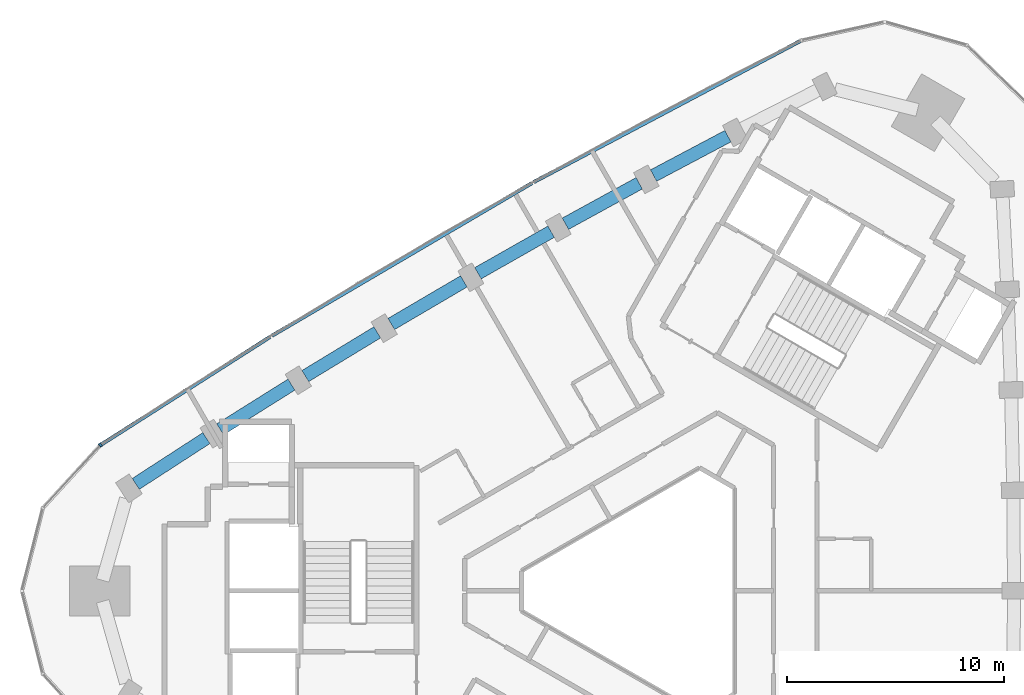
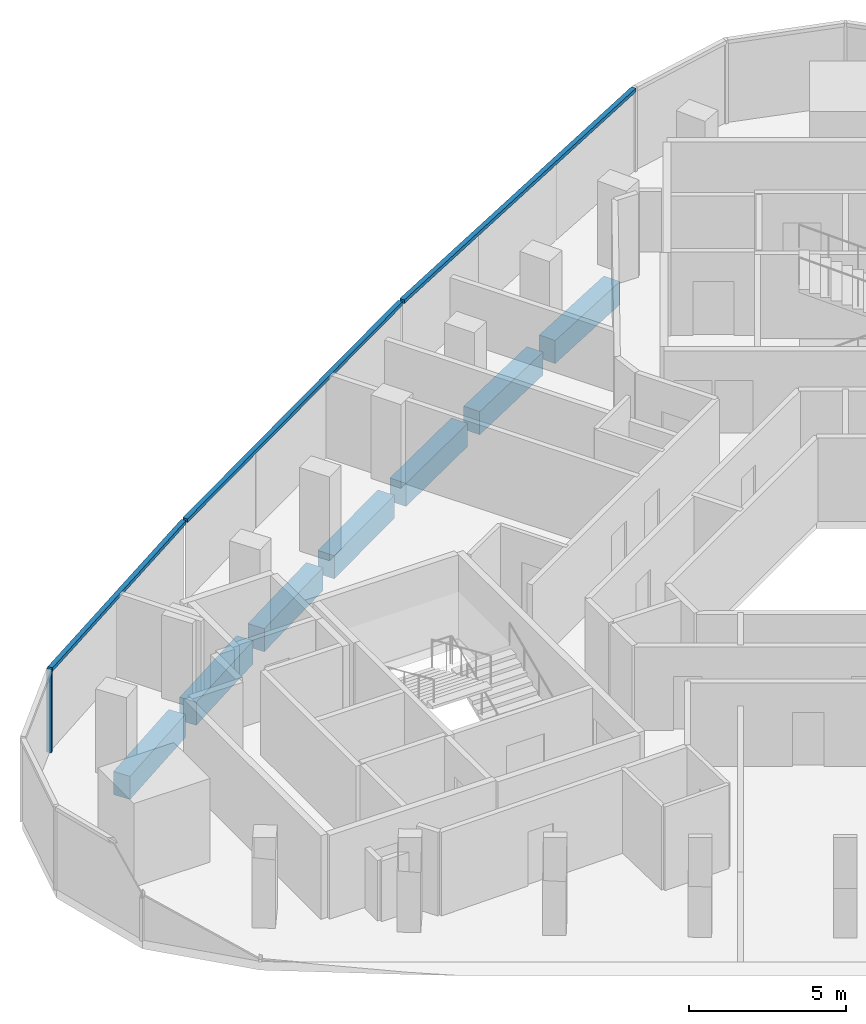
# One storey, part 4 of 11: 7 beams, 4 members, 1 element without a shape of its own.
"""IFC4 building model written with IfcOpenShell, lengths in metres."""

from ifc_helpers import new_model, si_unit, direction, frame, origin, origin_2d, place, context, subcontext, project, spatial, rectangle, extrude, material, material_profile, profile_set, type_object, element, aggregate, save


model = new_model("IFC4")

# Units and contexts
model_context = context("Model", 3, precision=1e-05, world=origin(), true_north=direction((0.0, 1.0)))
body_context = subcontext(model_context, "Body", "Model", "MODEL_VIEW")
ifc_project = project(units=[si_unit("LENGTHUNIT", "METRE"), si_unit("AREAUNIT", "SQUARE_METRE"), si_unit("VOLUMEUNIT", "CUBIC_METRE"), si_unit("PLANEANGLEUNIT", "RADIAN"), si_unit("MASSUNIT", "GRAM", prefix="KILO")], contexts=[model_context])

# Site, building, storey
site_placement = place(None, origin())
site = spatial("IfcSite", under=ifc_project, at=site_placement, CompositionType="ELEMENT")
building_placement = place(site_placement, origin())
building = spatial("IfcBuilding", under=site, at=building_placement, Name="Tamra Quay Hotel Tower", CompositionType="ELEMENT")
storey_placement = place(building_placement, frame((0.0, 0.0, 235.800048828125)))
storey = spatial("IfcBuildingStorey", under=building, at=storey_placement, Name="L59", CompositionType="ELEMENT", Elevation=235.800048828125)

# Curtain wall, member
ifc_material_1 = material(Name="Aluminium 6063 anodised dark grey", Category="aluminium")
curtain_wall_type = type_object("IfcCurtainWallType", Name="CW2 CURTAIN WALL", PredefinedType="NOTDEFINED", material=ifc_material_1)
curtain_wall_placement = place(storey_placement, origin())
curtain_wall = element("IfcCurtainWall", 1, at=curtain_wall_placement, inside=storey, type_object=curtain_wall_type, Name="CW2 north-west face L59", PredefinedType="NOTDEFINED")
ifc_material_profile_1 = material_profile(ifc_material_1, rectangle(XDim=0.169921875, YDim=0.10009765625, at=origin_2d()), Name="MULLION 100X170")
ifc_profile_set_1 = profile_set([ifc_material_profile_1], Name="Aluminium 6063 anodised dark grey")
member_type_1 = type_object("IfcMemberType", Name="MULLION CW2 Z5", PredefinedType="MULLION", material=ifc_profile_set_1)
member_1_placement = place(storey_placement, frame((-25.387939453125, 6.712646484375, 0.0), z_axis=(0.0, 0.0, 1.0), x_axis=(-0.64584626761, 0.763467483665, 0.0)))
member_1 = element("IfcMember", 2, at=member_1_placement, type_object=member_type_1, Name="CW2 mullion L59.NW.9", PredefinedType="MULLION", context=body_context, shape_type="SweptSolid", body=[
    extrude(rectangle(XDim=0.169921875, YDim=0.10009765625, at=origin_2d()), origin(), (0.0, 0.0, 1.0), 3.25),
])

# Beams
ifc_material_2 = material(Name="Concrete M60", Category="concrete")
ifc_material_profile_2 = material_profile(ifc_material_2, rectangle(XDim=0.60009765625, YDim=0.89990234375, at=origin_2d()), Name="SPANDREL BEAM RC 600x900")
ifc_profile_set_2 = profile_set([ifc_material_profile_2], Name="Concrete M60")
beam_type = type_object("IfcBeamType", Name="SPANDREL BEAM RC 600x900", PredefinedType="SPANDREL", material=ifc_profile_set_2)
beam_1_placement = place(storey_placement, frame((3.5, 20.931396484375, -0.800048828125), z_axis=(-0.883803240878, -0.467858772937, 0.0), x_axis=(0.467858772937, -0.883803240878, 0.0)))
element("IfcBeam", 3, at=beam_1_placement, inside=storey, type_object=beam_type, Name="BM-SP5-011-L59", PredefinedType="SPANDREL", context=body_context, shape_type="SweptSolid", body=[
    extrude(rectangle(XDim=0.60009765625, YDim=0.89990234375, at=origin_2d()), origin(), (0.0, 0.0, 1.0), 3.875),
])
beam_2_placement = place(storey_placement, frame((-0.585205078125, 18.7626953125, -0.800048828125), z_axis=(-0.876838966376, -0.480784179279, 0.0), x_axis=(0.480784179279, -0.876838966376, 0.0)))
element("IfcBeam", 4, at=beam_2_placement, inside=storey, type_object=beam_type, Name="BM-SP5-012-L59", PredefinedType="SPANDREL", context=body_context, shape_type="SweptSolid", body=[
    extrude(rectangle(XDim=0.60009765625, YDim=0.89990234375, at=origin_2d()), origin(), (0.0, 0.0, 1.0), 3.87548828125),
])
beam_3_placement = place(storey_placement, frame((-4.638427734375, 16.533935546875, -0.800048828125), z_axis=(-0.86967787455, -0.493619686113, 0.0), x_axis=(0.493619686113, -0.86967787455, 0.0)))
element("IfcBeam", 5, at=beam_3_placement, inside=storey, type_object=beam_type, Name="BM-SP5-013-L59", PredefinedType="SPANDREL", context=body_context, shape_type="SweptSolid", body=[
    extrude(rectangle(XDim=0.60009765625, YDim=0.89990234375, at=origin_2d()), origin(), (0.0, 0.0, 1.0), 3.875244140625),
])
beam_4_placement = place(storey_placement, frame((-8.658203125, 14.24609375, -0.800048828125), z_axis=(-0.862324287816, -0.506356418585, 0.0), x_axis=(0.506356418585, -0.862324287816, 0.0)))
element("IfcBeam", 6, at=beam_4_placement, inside=storey, type_object=beam_type, Name="BM-SP5-014-L59", PredefinedType="SPANDREL", context=body_context, shape_type="SweptSolid", body=[
    extrude(rectangle(XDim=0.60009765625, YDim=0.89990234375, at=origin_2d()), origin(), (0.0, 0.0, 1.0), 3.875),
])
beam_5_placement = place(storey_placement, frame((-12.6435546875, 11.8994140625, -0.800048828125), z_axis=(-0.854785519234, -0.518981421737, 0.0), x_axis=(0.518981421737, -0.854785519234, 0.0)))
element("IfcBeam", 7, at=beam_5_placement, inside=storey, type_object=beam_type, Name="BM-SP5-015-L59", PredefinedType="SPANDREL", context=body_context, shape_type="SweptSolid", body=[
    extrude(rectangle(XDim=0.60009765625, YDim=0.89990234375, at=origin_2d()), origin(), (0.0, 0.0, 1.0), 3.875732421875),
])
beam_6_placement = place(storey_placement, frame((-16.5947265625, 9.494140625, -0.800048828125), z_axis=(-0.847066119134, -0.53148752555, 0.0), x_axis=(0.53148752555, -0.847066119134, 0.0)))
element("IfcBeam", 8, at=beam_6_placement, inside=storey, type_object=beam_type, Name="BM-SP5-016-L59", PredefinedType="SPANDREL", context=body_context, shape_type="SweptSolid", body=[
    extrude(rectangle(XDim=0.60009765625, YDim=0.89990234375, at=origin_2d()), origin(), (0.0, 0.0, 1.0), 3.875),
])
beam_7_placement = place(storey_placement, frame((-20.509521484375, 7.03125, -0.800048828125), z_axis=(-0.839181205466, -0.543851914029, 0.0), x_axis=(0.543851914029, -0.839181205466, 0.0)))
element("IfcBeam", 9, at=beam_7_placement, inside=storey, type_object=beam_type, Name="BM-SP5-017-L59", PredefinedType="SPANDREL", context=body_context, shape_type="SweptSolid", body=[
    extrude(rectangle(XDim=0.60009765625, YDim=0.89990234375, at=origin_2d()), origin(), (0.0, 0.0, 1.0), 3.87548828125),
])

# Member
ifc_material_profile_3 = material_profile(ifc_material_1, rectangle(XDim=0.169921875, YDim=0.139892578125, at=origin_2d()), Name="TRANSOM 170X140")
ifc_profile_set_3 = profile_set([ifc_material_profile_3], Name="Aluminium 6063 anodised dark grey")
member_type_2 = type_object("IfcMemberType", Name="TRANSOM CW2 Z5", PredefinedType="USERDEFINED", material=ifc_profile_set_3)
member_2_placement = place(storey_placement, frame((6.836181640625, 25.320068359375, 3.179931640625), z_axis=(-0.883811448784, -0.467843267557, 0.0), x_axis=(0.467843267557, -0.883811448784, 0.0)))
member_2 = element("IfcMember", 10, at=member_2_placement, type_object=member_type_2, Name="CW2 transom L59.NW.1", ObjectType="TRANSOM", PredefinedType="USERDEFINED", context=body_context, shape_type="SweptSolid", body=[
    extrude(rectangle(XDim=0.169921875, YDim=0.139892578125, at=origin_2d()), origin(), (0.0, 0.0, 1.0), 13.87890625),
])

member_3_placement = place(storey_placement, frame((-5.517578125, 18.7783203125, 3.179931640625), z_axis=(-0.862320117971, -0.506363519758, 0.0), x_axis=(0.506363519758, -0.862320117971, 0.0)))
member_3 = element("IfcMember", 11, at=member_3_placement, type_object=member_type_2, Name="CW2 transom L59.NW.4", ObjectType="TRANSOM", PredefinedType="USERDEFINED", context=body_context, shape_type="SweptSolid", body=[
    extrude(rectangle(XDim=0.169921875, YDim=0.139892578125, at=origin_2d()), origin(), (0.0, 0.0, 1.0), 13.8798828125),
])

member_4_placement = place(storey_placement, frame((-17.57177734375, 11.697509765625, 3.179931640625), z_axis=(-0.843142122818, -0.537690766827, 0.0), x_axis=(0.537690766827, -0.843142122818, 0.0)))
member_4 = element("IfcMember", 12, at=member_4_placement, type_object=member_type_2, Name="CW2 transom L59.NW.7", ObjectType="TRANSOM", PredefinedType="USERDEFINED", context=body_context, shape_type="SweptSolid", body=[
    extrude(rectangle(XDim=0.169921875, YDim=0.139892578125, at=origin_2d()), origin(), (0.0, 0.0, 1.0), 9.220458984375),
])

aggregate(curtain_wall, [member_2, member_3, member_4, member_1])

save(model, "model.ifc")
